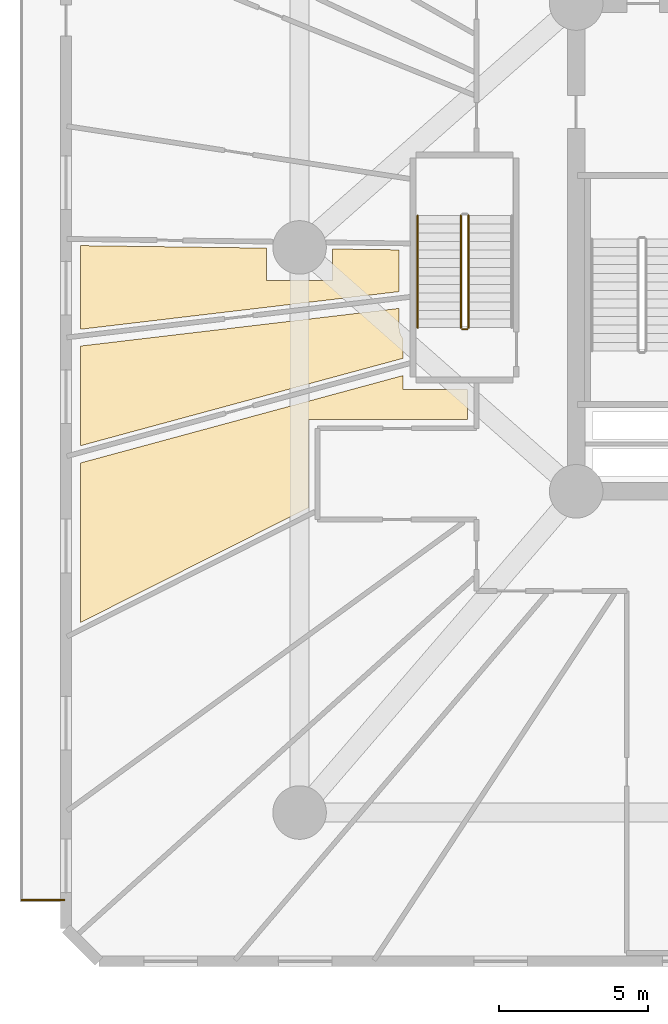
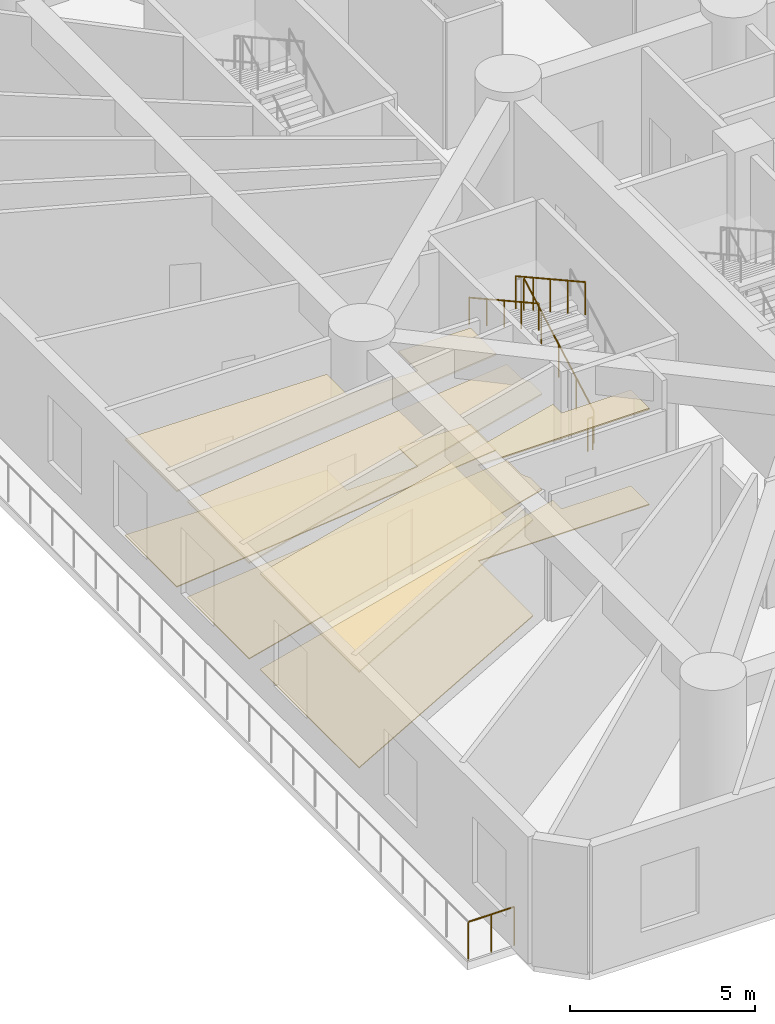
# One storey, part 21 of 26: 6 coverings, 5 railings.
"""IFC4 building model written with IfcOpenShell, lengths in metres."""

from ifc_helpers import new_model, si_unit, direction, frame, origin, origin_2d, place, context, subcontext, project, spatial, polyline, circle, outline, extrude, material, layer, layer_set, type_object, element, save


model = new_model("IFC4")

# Units and contexts
model_context = context("Model", 3, precision=1e-05, world=origin(), true_north=direction((0.0, 1.0)))
body_context = subcontext(model_context, "Body", "Model", "MODEL_VIEW")
ifc_project = project(units=[si_unit("LENGTHUNIT", "METRE"), si_unit("AREAUNIT", "SQUARE_METRE"), si_unit("VOLUMEUNIT", "CUBIC_METRE"), si_unit("PLANEANGLEUNIT", "RADIAN"), si_unit("MASSUNIT", "GRAM", prefix="KILO")], contexts=[model_context])

# Site, building, storey
site_placement = place(None, origin())
site = spatial("IfcSite", under=ifc_project, at=site_placement, CompositionType="ELEMENT")
building_placement = place(site_placement, origin())
building = spatial("IfcBuilding", under=site, at=building_placement, Name="Karkom Vertical University and Central Library", CompositionType="ELEMENT")
storey_placement = place(building_placement, frame((0.0, 0.0, 4.5)))
storey = spatial("IfcBuildingStorey", under=building, at=storey_placement, Name="L01", CompositionType="ELEMENT", Elevation=4.5)

# Railing
ifc_material_1 = material(Name="Architectural painted steel & laminated glass balustrade", Category="steel")
ifc_layer_1 = layer(ifc_material_1, 0.090087890625)
ifc_layer_set_1 = layer_set([ifc_layer_1], Name="Architectural painted steel & laminated glass balustrade")
railing_type_1 = type_object("IfcRailingType", Name="ENV-RL-BAL1300", PredefinedType="BALUSTRADE", material=ifc_layer_set_1)
railing_1_placement = place(storey_placement, frame((2.2900390625, 4.56005859375, 0.0)))
element("IfcRailing", 1, at=railing_1_placement, inside=storey, type_object=railing_type_1, Name="Level 01 Planted Terrace Safety Balustrade 03", PredefinedType="BALUSTRADE", context=body_context, shape_type="SweptSolid", body=[
    extrude(circle(Radius=0.02392578125, at=origin_2d()), frame((0.0, 0.0, 1.27587890625), z_axis=(-1.0, 0.0, 0.0), x_axis=(0.0, -1.0, 0.0)), (0.0, 0.0, 1.0), 1.429931640625),
    extrude(circle(Radius=0.02099609375, at=origin_2d()), origin(), (0.0, 0.0, 1.0), 1.251953125),
    extrude(circle(Radius=0.02099609375, at=origin_2d()), frame((-0.71484375, 0.0, 0.0)), (0.0, 0.0, 1.0), 1.251953125),
    extrude(circle(Radius=0.02099609375, at=origin_2d()), frame((-1.429931640625, 0.0, 0.0)), (0.0, 0.0, 1.0), 1.251953125),
])

# Coverings
ifc_material_2 = material(Name="Perforated mineral-fibre & timber-slat acoustic ceiling", Category="wood")
ifc_layer_2 = layer(ifc_material_2, 0.044921875)
ifc_layer_set_2 = layer_set([ifc_layer_2], Name="Perforated mineral-fibre & timber-slat acoustic ceiling")
covering_type_1 = type_object("IfcCoveringType", Name="INT-COV-CEIL", PredefinedType="CEILING", material=ifc_layer_set_2)
covering_1_placement = place(storey_placement, frame((0.0, 0.0, 3.155029296875)))
element("IfcCovering", 2, at=covering_1_placement, inside=storey, type_object=covering_type_1, Name="Level 01 Suspended Acoustic Ceiling Level 01-PD01", PredefinedType="CEILING", context=body_context, shape_type="SweptSolid", body=[
    extrude(outline(polyline([(2.830078125, 23.748046875), (2.830078125, 26.560546875), (9.090087890625, 26.477294921875), (9.090087890625, 25.389892578125), (11.31005859375, 25.389892578125), (11.31005859375, 26.447998046875), (13.550048828125, 26.418212890625), (13.550048828125, 25.01513671875), (2.830078125, 23.748046875)])), origin(), (0.0, 0.0, 1.0), 0.044921875),
])
covering_2_placement = place(storey_placement, frame((0.0, 0.0, 3.155029296875)))
element("IfcCovering", 3, at=covering_2_placement, inside=storey, type_object=covering_type_1, Name="Level 01 Suspended Acoustic Ceiling Level 01-PD02", PredefinedType="CEILING", context=body_context, shape_type="SweptSolid", body=[
    extrude(outline(polyline([(13.679931640625, 23.437255859375), (13.679931640625, 22.77294921875), (2.830078125, 19.83203125), (2.830078125, 23.184326171875), (13.550048828125, 24.451171875), (13.550048828125, 23.794677734375), (13.552490234375, 23.744140625), (13.560791015625, 23.688720703125), (13.57421875, 23.634521484375), (13.593017578125, 23.581787109375), (13.6171875, 23.53125), (13.645751953125, 23.483154296875), (13.67919921875, 23.438232421875), (13.679931640625, 23.437255859375)])), origin(), (0.0, 0.0, 1.0), 0.044921875),
])
covering_3_placement = place(storey_placement, frame((0.0, 0.0, 3.155029296875)))
element("IfcCovering", 4, at=covering_3_placement, inside=storey, type_object=covering_type_1, Name="Level 01 Suspended Acoustic Ceiling Level 01-PD03", PredefinedType="CEILING", context=body_context, shape_type="SweptSolid", body=[
    extrude(outline(polyline([(13.679931640625, 21.719970703125), (15.85009765625, 21.719970703125), (15.85009765625, 20.719970703125), (10.5, 20.719970703125), (10.5, 17.75), (2.830078125, 13.88818359375), (2.830078125, 19.251953125), (13.679931640625, 22.19287109375), (13.679931640625, 21.719970703125)])), origin(), (0.0, 0.0, 1.0), 0.044921875),
])
ifc_material_3 = material(Name="Honed Kota limestone & terrazzo flooring", Category="masonry")
ifc_layer_3 = layer(ifc_material_3, 0.030029296875)
ifc_layer_set_3 = layer_set([ifc_layer_3], Name="Honed Kota limestone & terrazzo flooring")
covering_type_2 = type_object("IfcCoveringType", Name="INT-COV-FLOOR", PredefinedType="FLOORING", material=ifc_layer_set_3)
covering_4_placement = place(storey_placement, origin())
element("IfcCovering", 5, at=covering_4_placement, inside=storey, type_object=covering_type_2, Name="Level 01 Kota Stone Floor Finish Level 01-PD01", PredefinedType="FLOORING", context=body_context, shape_type="SweptSolid", body=[
    extrude(outline(polyline([(2.830078125, 23.748046875), (2.830078125, 26.560546875), (9.090087890625, 26.477294921875), (9.090087890625, 25.389892578125), (11.31005859375, 25.389892578125), (11.31005859375, 26.447998046875), (13.550048828125, 26.418212890625), (13.550048828125, 25.01513671875), (2.830078125, 23.748046875)])), origin(), (0.0, 0.0, 1.0), 0.030029296875),
])
covering_5_placement = place(storey_placement, origin())
element("IfcCovering", 6, at=covering_5_placement, inside=storey, type_object=covering_type_2, Name="Level 01 Kota Stone Floor Finish Level 01-PD02", PredefinedType="FLOORING", context=body_context, shape_type="SweptSolid", body=[
    extrude(outline(polyline([(13.679931640625, 23.437255859375), (13.679931640625, 22.77294921875), (2.830078125, 19.83203125), (2.830078125, 23.184326171875), (13.550048828125, 24.451171875), (13.550048828125, 23.794677734375), (13.552490234375, 23.744140625), (13.560791015625, 23.688720703125), (13.57421875, 23.634521484375), (13.593017578125, 23.581787109375), (13.6171875, 23.53125), (13.645751953125, 23.483154296875), (13.67919921875, 23.438232421875), (13.679931640625, 23.437255859375)])), origin(), (0.0, 0.0, 1.0), 0.030029296875),
])
covering_6_placement = place(storey_placement, origin())
element("IfcCovering", 7, at=covering_6_placement, inside=storey, type_object=covering_type_2, Name="Level 01 Kota Stone Floor Finish Level 01-PD03", PredefinedType="FLOORING", context=body_context, shape_type="SweptSolid", body=[
    extrude(outline(polyline([(13.679931640625, 21.719970703125), (15.85009765625, 21.719970703125), (15.85009765625, 20.719970703125), (10.5, 20.719970703125), (10.5, 17.75), (2.830078125, 13.88818359375), (2.830078125, 19.251953125), (13.679931640625, 22.19287109375), (13.679931640625, 21.719970703125)])), origin(), (0.0, 0.0, 1.0), 0.030029296875),
])

# Railings
ifc_material_4 = material(Name="Painted galvanised steel balustrade", Category="steel")
ifc_layer_4 = layer(ifc_material_4, 0.06005859375)
ifc_layer_set_4 = layer_set([ifc_layer_4], Name="Painted galvanised steel balustrade")
railing_type_2 = type_object("IfcRailingType", Name="INT-RL-GUARD1100", PredefinedType="GUARDRAIL", material=ifc_layer_set_4)
railing_2_placement = place(storey_placement, frame((15.8798828125, 23.800048828125, 0.16064453125)))
element("IfcRailing", 8, at=railing_2_placement, inside=storey, type_object=railing_type_2, Name="Level 01 ST-3 stair guard 1", PredefinedType="GUARDRAIL", context=body_context, shape_type="SweptSolid", body=[
    extrude(circle(Radius=0.02392578125, at=origin_2d()), frame((0.0, 0.0, 1.076171875), z_axis=(0.0, 0.874659101714, 0.484738543742), x_axis=(-1.0, 0.0, 0.0)), (0.0, 0.0, 1.0), 4.310302734375),
    extrude(circle(Radius=0.02099609375, at=origin_2d()), origin(), (0.0, 0.0, 1.0), 1.052001953125),
    extrude(circle(Radius=0.02099609375, at=origin_2d()), frame((0.0, 0.9423828125, 0.5224609375)), (0.0, 0.0, 1.0), 1.052001953125),
    extrude(circle(Radius=0.02099609375, at=origin_2d()), frame((0.0, 1.885009765625, 1.044677734375)), (0.0, 0.0, 1.0), 1.052001953125),
    extrude(circle(Radius=0.02099609375, at=origin_2d()), frame((0.0, 2.82763671875, 1.56689453125)), (0.0, 0.0, 1.0), 1.052001953125),
    extrude(circle(Radius=0.02099609375, at=origin_2d()), frame((0.0, 3.77001953125, 2.08935546875)), (0.0, 0.0, 1.0), 1.052001953125),
])
railing_3_placement = place(storey_placement, frame((15.6201171875, 27.570068359375, 2.41064453125)))
element("IfcRailing", 9, at=railing_3_placement, inside=storey, type_object=railing_type_2, Name="Level 01 ST-3 stair guard 3", PredefinedType="GUARDRAIL", context=body_context, shape_type="SweptSolid", body=[
    extrude(circle(Radius=0.02392578125, at=origin_2d()), frame((0.0, 0.0, 1.076171875), z_axis=(0.0, -0.874659101714, 0.484738543742), x_axis=(1.0, 0.0, 0.0)), (0.0, 0.0, 1.0), 4.310302734375),
    extrude(circle(Radius=0.02099609375, at=origin_2d()), origin(), (0.0, 0.0, 1.0), 1.052001953125),
    extrude(circle(Radius=0.02099609375, at=origin_2d()), frame((0.0, -0.9423828125, 0.5224609375)), (0.0, 0.0, 1.0), 1.052001953125),
    extrude(circle(Radius=0.02099609375, at=origin_2d()), frame((0.0, -1.885009765625, 1.044677734375)), (0.0, 0.0, 1.0), 1.052001953125),
    extrude(circle(Radius=0.02099609375, at=origin_2d()), frame((0.0, -2.82763671875, 1.56689453125)), (0.0, 0.0, 1.0), 1.052001953125),
    extrude(circle(Radius=0.02099609375, at=origin_2d()), frame((0.0, -3.77001953125, 2.08935546875)), (0.0, 0.0, 1.0), 1.052001953125),
])
railing_4_placement = place(storey_placement, frame((15.830078125, 23.75, 0.0)))
element("IfcRailing", 10, at=railing_4_placement, inside=storey, type_object=railing_type_2, Name="Level 01 ST-3 stair guard 4", PredefinedType="GUARDRAIL", context=body_context, shape_type="SweptSolid", body=[
    extrude(circle(Radius=0.02392578125, at=origin_2d()), frame((0.0, 0.0, 1.076171875), z_axis=(-1.0, 0.0, 0.0), x_axis=(0.0, -1.0, 0.0)), (0.0, 0.0, 1.0), 0.16015625),
    extrude(circle(Radius=0.02099609375, at=origin_2d()), origin(), (0.0, 0.0, 1.0), 1.052001953125),
    extrude(circle(Radius=0.02099609375, at=origin_2d()), frame((-0.16015625, 0.0, 0.0)), (0.0, 0.0, 1.0), 1.052001953125),
])
ifc_material_5 = material(Name="Brushed stainless-steel tubular handrail", Category="steel")
ifc_layer_5 = layer(ifc_material_5, 0.048095703125)
ifc_layer_set_5 = layer_set([ifc_layer_5], Name="Brushed stainless-steel tubular handrail")
railing_type_3 = type_object("IfcRailingType", Name="INT-RL-HAND920", PredefinedType="HANDRAIL", material=ifc_layer_set_5)
railing_5_placement = place(storey_placement, frame((14.169921875, 27.570068359375, 2.41064453125)))
element("IfcRailing", 11, at=railing_5_placement, inside=storey, type_object=railing_type_3, Name="Level 01 ST-3 stair handrail 2", PredefinedType="HANDRAIL", context=body_context, shape_type="SweptSolid", body=[
    extrude(circle(Radius=0.02392578125, at=origin_2d()), frame((0.0, 0.0, 0.8759765625), z_axis=(0.0, -0.874659101714, 0.484738543742), x_axis=(1.0, 0.0, 0.0)), (0.0, 0.0, 1.0), 4.310302734375),
    extrude(circle(Radius=0.02099609375, at=origin_2d()), origin(), (0.0, 0.0, 1.0), 0.851806640625),
    extrude(circle(Radius=0.02099609375, at=origin_2d()), frame((0.0, -0.9423828125, 0.5224609375)), (0.0, 0.0, 1.0), 0.851806640625),
    extrude(circle(Radius=0.02099609375, at=origin_2d()), frame((0.0, -1.885009765625, 1.044677734375)), (0.0, 0.0, 1.0), 0.851806640625),
    extrude(circle(Radius=0.02099609375, at=origin_2d()), frame((0.0, -2.82763671875, 1.56689453125)), (0.0, 0.0, 1.0), 0.851806640625),
    extrude(circle(Radius=0.02099609375, at=origin_2d()), frame((0.0, -3.77001953125, 2.08935546875)), (0.0, 0.0, 1.0), 0.851806640625),
])

save(model, "model.ifc")
